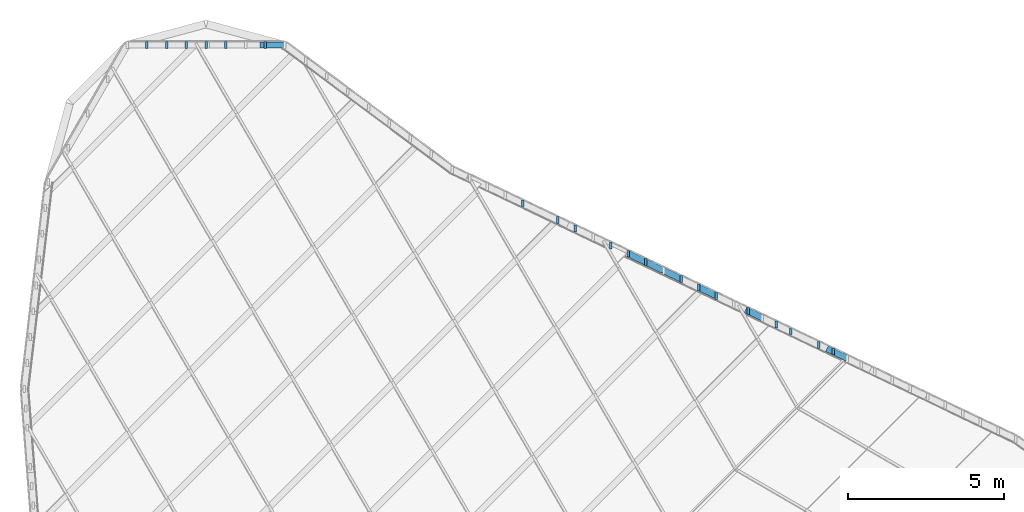
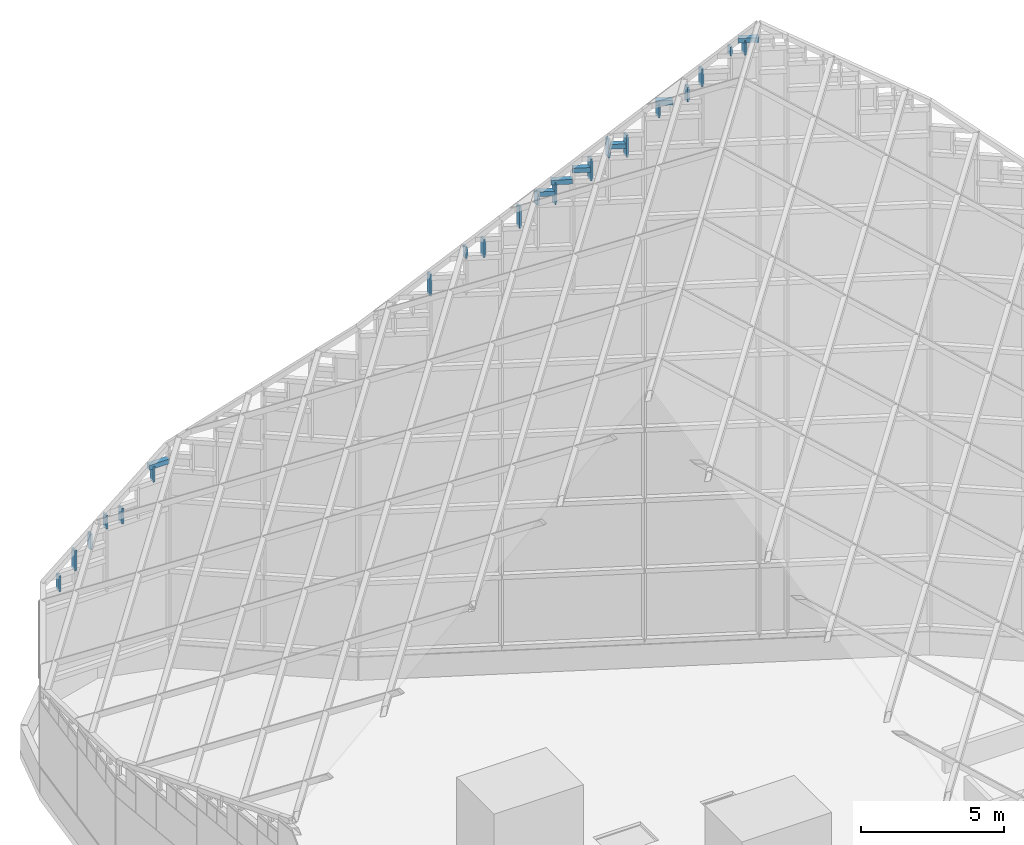
# One storey, part 13 of 29: 27 members, 1 element without a shape of its own.
"""IFC4 building model written with IfcOpenShell, lengths in metres."""

from ifc_helpers import new_model, si_unit, direction, frame, origin, origin_2d, place, context, subcontext, project, spatial, rectangle, extrude, material, material_profile, profile_set, type_object, element, aggregate, save


model = new_model("IFC4")

# Units and contexts
model_context = context("Model", 3, precision=1e-05, world=origin(), true_north=direction((0.0, 1.0)))
body_context = subcontext(model_context, "Body", "Model", "MODEL_VIEW")
ifc_project = project(units=[si_unit("LENGTHUNIT", "METRE"), si_unit("AREAUNIT", "SQUARE_METRE"), si_unit("VOLUMEUNIT", "CUBIC_METRE"), si_unit("PLANEANGLEUNIT", "RADIAN"), si_unit("MASSUNIT", "GRAM", prefix="KILO")], contexts=[model_context])

# Site, building, storey
site_placement = place(None, origin())
site = spatial("IfcSite", under=ifc_project, at=site_placement, CompositionType="ELEMENT")
building_placement = place(site_placement, origin())
building = spatial("IfcBuilding", under=site, at=building_placement, Name="Tanit Gate Tower", CompositionType="ELEMENT")
storey_placement = place(building_placement, frame((0.0, 0.0, 445.300048828125)))
storey = spatial("IfcBuildingStorey", under=building, at=storey_placement, Name="ROOF", CompositionType="ELEMENT", Elevation=445.300048828125)

# Curtain wall, members
ifc_material_1 = material(Name="Aluminium bronze anodised and glass", Category="aluminium")
curtain_wall_type = type_object("IfcCurtainWallType", Name="Curtain wall crown roof", PredefinedType="NOTDEFINED", material=ifc_material_1)
curtain_wall_placement = place(storey_placement, origin())
curtain_wall = element("IfcCurtainWall", 1, at=curtain_wall_placement, inside=storey, type_object=curtain_wall_type, Name="Crown lantern", PredefinedType="NOTDEFINED")
ifc_material_2 = material(Name="Aluminium bronze anodised", Category="aluminium")
ifc_material_profile_1 = material_profile(ifc_material_2, rectangle(XDim=0.080078125, YDim=0.219970703125, at=origin_2d()), Name="80x220 bronze rafter")
ifc_profile_set_1 = profile_set([ifc_material_profile_1], Name="Aluminium bronze anodised")
member_type_1 = type_object("IfcMemberType", Name="Mullion 80x220 crown roof", PredefinedType="MULLION", material=ifc_profile_set_1)
member_1_placement = place(storey_placement, frame((8.662841796875, 12.0078125, 24.074951171875), z_axis=(0.0, 0.0, 1.0), x_axis=(1.0, 0.0, 0.0)))
member_1 = element("IfcMember", 2, at=member_1_placement, type_object=member_type_1, Name="Lantern clerestory bar 5.8.6", PredefinedType="MULLION", context=body_context, shape_type="SweptSolid", body=[
    extrude(rectangle(XDim=0.080078125, YDim=0.219970703125, at=origin_2d()), origin(), (0.0, 0.0, 1.0), 0.625),
])
member_2_placement = place(storey_placement, frame((7.75732421875, 12.4404296875, 23.449951171875), z_axis=(0.0, 0.0, 1.0), x_axis=(1.0, 0.0, 0.0)))
member_2 = element("IfcMember", 3, at=member_2_placement, type_object=member_type_1, Name="Lantern clerestory bar 5.8.8", PredefinedType="MULLION", context=body_context, shape_type="SweptSolid", body=[
    extrude(rectangle(XDim=0.080078125, YDim=0.219970703125, at=origin_2d()), origin(), (0.0, 0.0, 1.0), 0.625),
])
member_3_placement = place(storey_placement, frame((9.115478515625, 11.791748046875, 24.699951171875), z_axis=(0.0, 0.0, 1.0), x_axis=(1.0, 0.0, 0.0)))
member_3 = element("IfcMember", 4, at=member_3_placement, type_object=member_type_1, Name="Lantern clerestory bar 5.8.9", PredefinedType="MULLION", context=body_context, shape_type="SweptSolid", body=[
    extrude(rectangle(XDim=0.080078125, YDim=0.219970703125, at=origin_2d()), origin(), (0.0, 0.0, 1.0), 0.759765625),
])
member_4_placement = place(storey_placement, frame((10.02099609375, 11.359130859375, 25.949951171875), z_axis=(0.0, 0.0, 1.0), x_axis=(1.0, 0.0, 0.0)))
member_4 = element("IfcMember", 5, at=member_4_placement, type_object=member_type_1, Name="Lantern clerestory bar 5.8.13", PredefinedType="MULLION", context=body_context, shape_type="SweptSolid", body=[
    extrude(rectangle(XDim=0.080078125, YDim=0.219970703125, at=origin_2d()), origin(), (0.0, 0.0, 1.0), 0.3798828125),
])
member_5_placement = place(storey_placement, frame((10.473876953125, 11.142822265625, 25.949951171875), z_axis=(0.0, 0.0, 1.0), x_axis=(1.0, 0.0, 0.0)))
member_5 = element("IfcMember", 6, at=member_5_placement, type_object=member_type_1, Name="Lantern clerestory bar 5.8.15", PredefinedType="MULLION", context=body_context, shape_type="SweptSolid", body=[
    extrude(rectangle(XDim=0.080078125, YDim=0.219970703125, at=origin_2d()), origin(), (0.0, 0.0, 1.0), 0.625),
])
member_6_placement = place(storey_placement, frame((3.36376953125, 14.53955078125, 19.019775390625), z_axis=(0.0, 0.0, 1.0), x_axis=(1.0, 0.0, 0.0)))
member_6 = element("IfcMember", 7, at=member_6_placement, type_object=member_type_1, Name="Lantern clerestory bar 6.6.6", PredefinedType="MULLION", context=body_context, shape_type="SweptSolid", body=[
    extrude(rectangle(XDim=0.080078125, YDim=0.219970703125, at=origin_2d()), origin(), (0.0, 0.0, 1.0), 0.912353515625),
])
member_7_placement = place(storey_placement, frame((5.61572265625, 13.463623046875, 20.899658203125), z_axis=(0.0, 0.0, 1.0), x_axis=(1.0, 0.0, 0.0)))
member_7 = element("IfcMember", 8, at=member_7_placement, type_object=member_type_1, Name="Lantern clerestory bar 6.6.11", PredefinedType="MULLION", context=body_context, shape_type="SweptSolid", body=[
    extrude(rectangle(XDim=0.080078125, YDim=0.219970703125, at=origin_2d()), origin(), (0.0, 0.0, 1.0), 0.93994140625),
])
member_8_placement = place(storey_placement, frame((6.1787109375, 13.194580078125, 21.839599609375), z_axis=(0.0, 0.0, 1.0), x_axis=(1.0, 0.0, 0.0)))
member_8 = element("IfcMember", 9, at=member_8_placement, type_object=member_type_1, Name="Lantern clerestory bar 6.6.13", PredefinedType="MULLION", context=body_context, shape_type="SweptSolid", body=[
    extrude(rectangle(XDim=0.080078125, YDim=0.219970703125, at=origin_2d()), origin(), (0.0, 0.0, 1.0), 0.797607421875),
])
member_9_placement = place(storey_placement, frame((6.74169921875, 12.92578125, 21.839599609375), z_axis=(0.0, 0.0, 1.0), x_axis=(1.0, 0.0, 0.0)))
member_9 = element("IfcMember", 10, at=member_9_placement, type_object=member_type_1, Name="Lantern clerestory bar 6.6.15", PredefinedType="MULLION", context=body_context, shape_type="SweptSolid", body=[
    extrude(rectangle(XDim=0.080078125, YDim=0.219970703125, at=origin_2d()), origin(), (0.0, 0.0, 1.0), 0.93994140625),
])
member_10_placement = place(storey_placement, frame((3.9267578125, 14.2705078125, 19.959716796875), z_axis=(0.0, 0.0, 1.0), x_axis=(1.0, 0.0, 0.0)))
member_10 = element("IfcMember", 11, at=member_10_placement, type_object=member_type_1, Name="Lantern clerestory bar 6.6.18", PredefinedType="MULLION", context=body_context, shape_type="SweptSolid", body=[
    extrude(rectangle(XDim=0.080078125, YDim=0.219970703125, at=origin_2d()), origin(), (0.0, 0.0, 1.0), 0.513427734375),
])
member_11_placement = place(storey_placement, frame((4.48974609375, 14.001708984375, 19.959716796875), z_axis=(0.0, 0.0, 1.0), x_axis=(1.0, 0.0, 0.0)))
member_11 = element("IfcMember", 12, at=member_11_placement, type_object=member_type_1, Name="Lantern clerestory bar 6.6.20", PredefinedType="MULLION", context=body_context, shape_type="SweptSolid", body=[
    extrude(rectangle(XDim=0.080078125, YDim=0.219970703125, at=origin_2d()), origin(), (0.0, 0.0, 1.0), 0.93994140625),
])
member_12_placement = place(storey_placement, frame((0.548828125, 15.88427734375, 16.29541015625), z_axis=(0.0, 0.0, 1.0), x_axis=(1.0, 0.0, 0.0)))
member_12 = element("IfcMember", 13, at=member_12_placement, type_object=member_type_1, Name="Lantern clerestory bar 7.5.9", PredefinedType="MULLION", context=body_context, shape_type="SweptSolid", body=[
    extrude(rectangle(XDim=0.080078125, YDim=0.219970703125, at=origin_2d()), origin(), (0.0, 0.0, 1.0), 0.931396484375),
])
member_13_placement = place(storey_placement, frame((1.6748046875, 15.346435546875, 17.84326171875), z_axis=(0.0, 0.0, 1.0), x_axis=(1.0, 0.0, 0.0)))
member_13 = element("IfcMember", 14, at=member_13_placement, type_object=member_type_1, Name="Lantern clerestory bar 7.5.13", PredefinedType="MULLION", context=body_context, shape_type="SweptSolid", body=[
    extrude(rectangle(XDim=0.080078125, YDim=0.219970703125, at=origin_2d()), origin(), (0.0, 0.0, 1.0), 0.4658203125),
])
member_14_placement = place(storey_placement, frame((2.23779296875, 15.077392578125, 17.84326171875), z_axis=(0.0, 0.0, 1.0), x_axis=(1.0, 0.0, 0.0)))
member_14 = element("IfcMember", 15, at=member_14_placement, type_object=member_type_1, Name="Lantern clerestory bar 7.5.15", PredefinedType="MULLION", context=body_context, shape_type="SweptSolid", body=[
    extrude(rectangle(XDim=0.080078125, YDim=0.219970703125, at=origin_2d()), origin(), (0.0, 0.0, 1.0), 0.77392578125),
])
member_15_placement = place(storey_placement, frame((-11.463134765625, 20.946044921875, 4.865966796875), z_axis=(0.0, 0.0, 1.0), x_axis=(1.0, 0.0, 0.0)))
member_15 = element("IfcMember", 16, at=member_15_placement, type_object=member_type_1, Name="Lantern clerestory bar 10.2.6", PredefinedType="MULLION", context=body_context, shape_type="SweptSolid", body=[
    extrude(rectangle(XDim=0.080078125, YDim=0.219970703125, at=origin_2d()), origin(), (0.0, 0.0, 1.0), 0.666259765625),
])
member_16_placement = place(storey_placement, frame((-10.8330078125, 20.94580078125, 5.5322265625), z_axis=(0.0, 0.0, 1.0), x_axis=(1.0, 0.0, 0.0)))
member_16 = element("IfcMember", 17, at=member_16_placement, type_object=member_type_1, Name="Lantern clerestory bar 10.2.7", PredefinedType="MULLION", context=body_context, shape_type="SweptSolid", body=[
    extrude(rectangle(XDim=0.080078125, YDim=0.219970703125, at=origin_2d()), origin(), (0.0, 0.0, 1.0), 0.8603515625),
])
member_17_placement = place(storey_placement, frame((-10.202880859375, 20.945556640625, 6.1982421875), z_axis=(0.0, 0.0, 1.0), x_axis=(1.0, 0.0, 0.0)))
member_17 = element("IfcMember", 18, at=member_17_placement, type_object=member_type_1, Name="Lantern clerestory bar 10.2.9", PredefinedType="MULLION", context=body_context, shape_type="SweptSolid", body=[
    extrude(rectangle(XDim=0.080078125, YDim=0.219970703125, at=origin_2d()), origin(), (0.0, 0.0, 1.0), 0.666259765625),
])
member_18_placement = place(storey_placement, frame((-9.57275390625, 20.9453125, 6.864501953125), z_axis=(0.0, 0.0, 1.0), x_axis=(1.0, 0.0, 0.0)))
member_18 = element("IfcMember", 19, at=member_18_placement, type_object=member_type_1, Name="Lantern clerestory bar 10.2.10", PredefinedType="MULLION", context=body_context, shape_type="SweptSolid", body=[
    extrude(rectangle(XDim=0.080078125, YDim=0.219970703125, at=origin_2d()), origin(), (0.0, 0.0, 1.0), 0.573486328125),
])
member_19_placement = place(storey_placement, frame((-8.9423828125, 20.94482421875, 6.864501953125), z_axis=(0.0, 0.0, 1.0), x_axis=(1.0, 0.0, 0.0)))
member_19 = element("IfcMember", 20, at=member_19_placement, type_object=member_type_1, Name="Lantern clerestory bar 10.2.14", PredefinedType="MULLION", context=body_context, shape_type="SweptSolid", body=[
    extrude(rectangle(XDim=0.080078125, YDim=0.219970703125, at=origin_2d()), origin(), (0.0, 0.0, 1.0), 0.666015625),
])
member_20_placement = place(storey_placement, frame((-7.68212890625, 20.9443359375, 8.19677734375), z_axis=(0.0, 0.0, 1.0), x_axis=(1.0, 0.0, 0.0)))
member_20 = element("IfcMember", 21, at=member_20_placement, type_object=member_type_1, Name="Lantern clerestory bar 10.2.17", PredefinedType="MULLION", context=body_context, shape_type="SweptSolid", body=[
    extrude(rectangle(XDim=0.080078125, YDim=0.219970703125, at=origin_2d()), origin(), (0.0, 0.0, 1.0), 0.666015625),
])
ifc_material_3 = material(Name="Aluminium bronze anodised", Category="aluminium")
ifc_material_profile_2 = material_profile(ifc_material_3, rectangle(XDim=0.199951171875, YDim=0.199951171875, at=origin_2d()), Name="200x200 bronze transom")
ifc_profile_set_2 = profile_set([ifc_material_profile_2], Name="Aluminium bronze anodised")
member_type_2 = type_object("IfcMemberType", Name="Transom 200x200 crown roof", PredefinedType="USERDEFINED", material=ifc_profile_set_2)
member_21_placement = place(storey_placement, frame((8.210205078125, 12.22412109375, 24.074951171875), z_axis=(-0.902266469869, 0.431178869322, 0.0), x_axis=(-0.431178869322, -0.902266469869, 0.0)))
member_21 = element("IfcMember", 22, at=member_21_placement, type_object=member_type_2, Name="Lantern clerestory bar 5.8.7", ObjectType="TRANSOM", PredefinedType="USERDEFINED", context=body_context, shape_type="SweptSolid", body=[
    extrude(rectangle(XDim=0.199951171875, YDim=0.199951171875, at=origin_2d()), origin(), (0.0, 0.0, 1.0), 0.593505859375),
])
member_22_placement = place(storey_placement, frame((10.926513671875, 10.926513671875, 26.574951171875), z_axis=(-0.902277464966, 0.431155860699, 0.0), x_axis=(-0.431155860699, -0.902277464966, 0.0)))
member_22 = element("IfcMember", 23, at=member_22_placement, type_object=member_type_2, Name="Lantern clerestory bar 5.8.14", ObjectType="TRANSOM", PredefinedType="USERDEFINED", context=body_context, shape_type="SweptSolid", body=[
    extrude(rectangle(XDim=0.199951171875, YDim=0.199951171875, at=origin_2d()), origin(), (0.0, 0.0, 1.0), 0.720947265625),
])
member_23_placement = place(storey_placement, frame((5.61572265625, 13.463623046875, 21.36962890625), z_axis=(-0.902266608691, 0.431178578828, 0.0), x_axis=(-0.431178578828, -0.902266608691, 0.0)))
member_23 = element("IfcMember", 24, at=member_23_placement, type_object=member_type_2, Name="Lantern clerestory bar 6.6.12", ObjectType="TRANSOM", PredefinedType="USERDEFINED", context=body_context, shape_type="SweptSolid", body=[
    extrude(rectangle(XDim=0.199951171875, YDim=0.199951171875, at=origin_2d()), origin(), (0.0, 0.0, 1.0), 0.6240234375),
])
member_24_placement = place(storey_placement, frame((6.74169921875, 12.92578125, 22.3095703125), z_axis=(-0.902418796695, 0.430859971883, 0.0), x_axis=(-0.430859971883, -0.902418796695, 0.0)))
member_24 = element("IfcMember", 25, at=member_24_placement, type_object=member_type_2, Name="Lantern clerestory bar 6.6.16", ObjectType="TRANSOM", PredefinedType="USERDEFINED", context=body_context, shape_type="SweptSolid", body=[
    extrude(rectangle(XDim=0.199951171875, YDim=0.199951171875, at=origin_2d()), origin(), (0.0, 0.0, 1.0), 0.623779296875),
])
member_25_placement = place(storey_placement, frame((5.052734375, 13.732666015625, 20.899658203125), z_axis=(-0.902292649486, 0.4311240827, 0.0), x_axis=(-0.4311240827, -0.902292649486, 0.0)))
member_25 = element("IfcMember", 26, at=member_25_placement, type_object=member_type_2, Name="Lantern clerestory bar 6.6.19", ObjectType="TRANSOM", PredefinedType="USERDEFINED", context=body_context, shape_type="SweptSolid", body=[
    extrude(rectangle(XDim=0.199951171875, YDim=0.199951171875, at=origin_2d()), origin(), (0.0, 0.0, 1.0), 0.756103515625),
])
member_26_placement = place(storey_placement, frame((4.48974609375, 14.001708984375, 20.4296875), z_axis=(-0.902418796695, 0.430859971883, 0.0), x_axis=(-0.430859971883, -0.902418796695, 0.0)))
member_26 = element("IfcMember", 27, at=member_26_placement, type_object=member_type_2, Name="Lantern clerestory bar 6.6.21", ObjectType="TRANSOM", PredefinedType="USERDEFINED", context=body_context, shape_type="SweptSolid", body=[
    extrude(rectangle(XDim=0.199951171875, YDim=0.199951171875, at=origin_2d()), origin(), (0.0, 0.0, 1.0), 0.623779296875),
])
member_27_placement = place(storey_placement, frame((-7.052001953125, 20.944091796875, 8.86279296875), z_axis=(-0.999999953779, 0.000304043768, 0.0), x_axis=(-0.000304043768, -0.999999953779, 0.0)))
member_27 = element("IfcMember", 28, at=member_27_placement, type_object=member_type_2, Name="Lantern clerestory bar 10.2.16", ObjectType="TRANSOM", PredefinedType="USERDEFINED", context=body_context, shape_type="SweptSolid", body=[
    extrude(rectangle(XDim=0.199951171875, YDim=0.199951171875, at=origin_2d()), origin(), (0.0, 0.0, 1.0), 0.802978515625),
])
aggregate(curtain_wall, [member_1, member_21, member_2, member_3, member_4, member_22, member_5, member_6, member_7, member_23, member_8, member_9, member_24, member_10, member_25, member_11, member_26, member_12, member_13, member_14, member_15, member_16, member_17, member_18, member_19, member_27, member_20])

save(model, "model.ifc")
